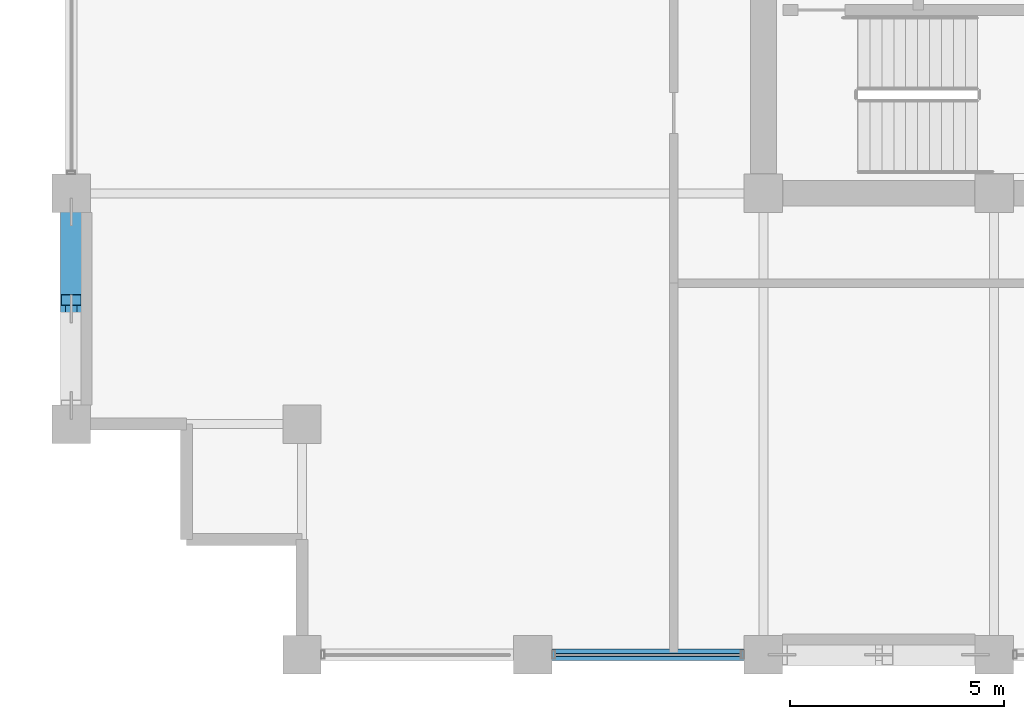
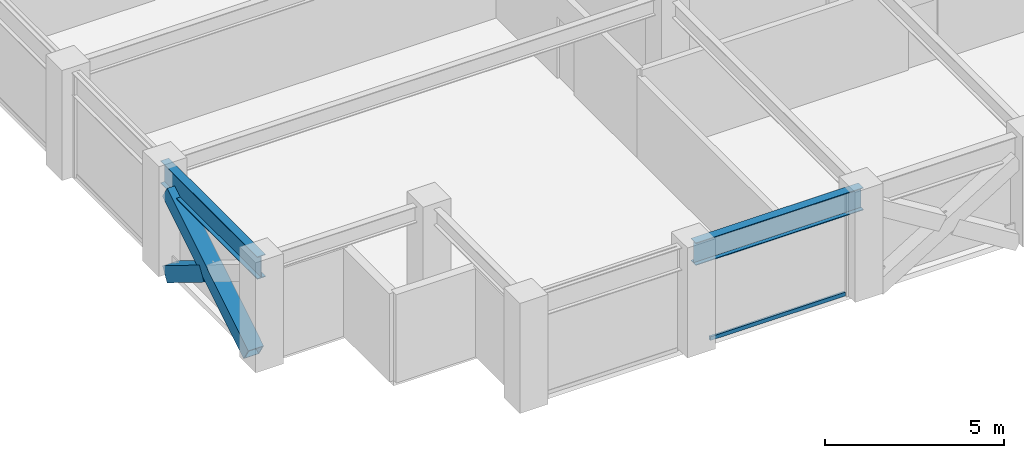
# One storey, part 3 of 31: 3 members, 2 beams, 1 element without a shape of its own.
"""IFC4 building model written with IfcOpenShell, lengths in metres."""

from ifc_helpers import new_model, si_unit, direction, frame, origin, origin_2d, place, context, subcontext, project, spatial, hollow_rectangle, i_section, extrude, material, layer, layer_set, material_profile, profile_set, type_object, element, aggregate, save


model = new_model("IFC4")

# Units and contexts
model_context = context("Model", 3, precision=1e-05, world=origin(), true_north=direction((0.0, 1.0)))
body_context = subcontext(model_context, "Body", "Model", "MODEL_VIEW")
ifc_project = project(units=[si_unit("LENGTHUNIT", "METRE"), si_unit("AREAUNIT", "SQUARE_METRE"), si_unit("VOLUMEUNIT", "CUBIC_METRE"), si_unit("PLANEANGLEUNIT", "RADIAN"), si_unit("MASSUNIT", "GRAM", prefix="KILO")], contexts=[model_context])

# Site, building, storey
site_placement = place(None, origin())
site = spatial("IfcSite", under=ifc_project, at=site_placement, CompositionType="ELEMENT")
building_placement = place(site_placement, origin())
building = spatial("IfcBuilding", under=site, at=building_placement, Name="Surkhivell Harbour Commons", CompositionType="ELEMENT")
storey_placement = place(building_placement, frame((0.0, 0.0, 193.5)))
storey = spatial("IfcBuildingStorey", under=building, at=storey_placement, Name="L50", CompositionType="ELEMENT", Elevation=193.5)

# Beams
ifc_material_1 = material(Name="Steel S355", Category="steel")
ifc_material_profile_1 = material_profile(ifc_material_1, i_section(OverallWidth=0.26806640625, OverallDepth=0.77001953125, WebThickness=0.015625, FlangeThickness=0.025390625, at=origin_2d()), Name="UB762x267x197")
ifc_profile_set_1 = profile_set([ifc_material_profile_1], Name="Steel S355")
beam_type = type_object("IfcBeamType", Name="BM-SPN-762", PredefinedType="SPANDREL", material=ifc_profile_set_1)
for number, where, z_axis, x_axis, name in (
    (1, (-27.0, -16.199951171875, 3.18505859375), (0.0, 1.0, 0.0), (-1.0, 0.0, 0.0), "L50 Tube Spandrel (-27.0,-16.2)"),
    (2, (-16.199951171875, -21.60009765625, 3.18505859375), (1.0, 0.0, 0.0), (0.0, 1.0, 0.0), "L50 Tube Spandrel (-16.2,-21.6)"),
):
    element("IfcBeam", number, at=place(storey_placement, frame(where, z_axis=z_axis, x_axis=x_axis)), inside=storey, type_object=beam_type, Name=name, PredefinedType="SPANDREL", context=body_context, shape_type="SweptSolid", body=[
        extrude(i_section(OverallWidth=0.26806640625, OverallDepth=0.77001953125, WebThickness=0.015625, FlangeThickness=0.025390625, at=origin_2d()), origin(), (0.0, 0.0, 1.0), 5.39990234375),
    ])

# Curtain wall, member
ifc_material_2 = material(Name="Anodised pale-metal aluminium and insulated glazing", Category="aluminium")
ifc_layer = layer(ifc_material_2, 0.18994140625)
ifc_layer_set = layer_set([ifc_layer], Name="Anodised pale-metal aluminium and insulated glazing")
curtain_wall_type = type_object("IfcCurtainWallType", Name="CW-SYS-Z3", PredefinedType="NOTDEFINED", material=ifc_layer_set)
curtain_wall_placement = place(storey_placement, origin())
curtain_wall = element("IfcCurtainWall", 3, at=curtain_wall_placement, inside=storey, type_object=curtain_wall_type, Name="L50 Curtain Wall CW-L50-E00S1", PredefinedType="NOTDEFINED")
ifc_material_3 = material(Name="Champagne anodised aluminium alloy 6063-T6", Category="aluminium")
ifc_material_profile_2 = material_profile(ifc_material_3, hollow_rectangle(XDim=0.070068359375, YDim=0.1298828125, WallThickness=0.00341796875, at=origin_2d()), Name="ALU-TRAN-70x130")
ifc_profile_set_2 = profile_set([ifc_material_profile_2], Name="Champagne anodised aluminium alloy 6063-T6")
member_type_1 = type_object("IfcMemberType", Name="CWT-130", PredefinedType="USERDEFINED", material=ifc_profile_set_2)
member_1_placement = place(storey_placement, frame((-15.673095703125, -21.60009765625, 0.06494140625), z_axis=(1.0, 0.0, 0.0), x_axis=(0.0, 1.0, 0.0)))
member_1 = element("IfcMember", 4, at=member_1_placement, type_object=member_type_1, Name="CW-Z3 transom 2.1", ObjectType="TRANSOM", PredefinedType="USERDEFINED", context=body_context, shape_type="SweptSolid", body=[
    extrude(hollow_rectangle(XDim=0.070068359375, YDim=0.1298828125, WallThickness=0.00341796875, at=origin_2d()), origin(), (0.0, 0.0, 1.0), 4.34619140625),
])
aggregate(curtain_wall, [member_1])

# Members
ifc_material_4 = material(Name="Steel S460", Category="steel")
ifc_material_profile_3 = material_profile(ifc_material_4, hollow_rectangle(XDim=0.5, YDim=0.5, WallThickness=0.02490234375, at=origin_2d()), Name="SHS500x500x25")
ifc_profile_set_3 = profile_set([ifc_material_profile_3], Name="Steel S460")
member_type_2 = type_object("IfcMemberType", Name="MEM-BRC-SHS500", PredefinedType="BRACE", material=ifc_profile_set_3)
member_2_placement = place(storey_placement, frame((-27.0, -15.764892578125, 0.008056640625), z_axis=(0.0, 0.850958380769, 0.525233123669), x_axis=(-1.0, 0.0, 0.0)))
element("IfcMember", 5, at=member_2_placement, inside=storey, type_object=member_type_2, Name="L50 Perimeter Mega-Brace MB- 10", PredefinedType="BRACE", context=body_context, shape_type="SweptSolid", body=[
    extrude(hollow_rectangle(XDim=0.5, YDim=0.5, WallThickness=0.02490234375, at=origin_2d()), origin(), (0.0, 0.0, 1.0), 5.3232421875),
])
member_3_placement = place(storey_placement, frame((-27.0, -11.235107421875, 0.008056640625), z_axis=(0.0, -0.8510034189, 0.525160147974), x_axis=(1.0, 0.0, 0.0)))
element("IfcMember", 6, at=member_3_placement, inside=storey, type_object=member_type_2, Name="L50 Perimeter Mega-Brace MB- 11", PredefinedType="BRACE", context=body_context, shape_type="SweptSolid", body=[
    extrude(hollow_rectangle(XDim=0.5, YDim=0.5, WallThickness=0.02490234375, at=origin_2d()), origin(), (0.0, 0.0, 1.0), 2.421630859375),
])

save(model, "model.ifc")
